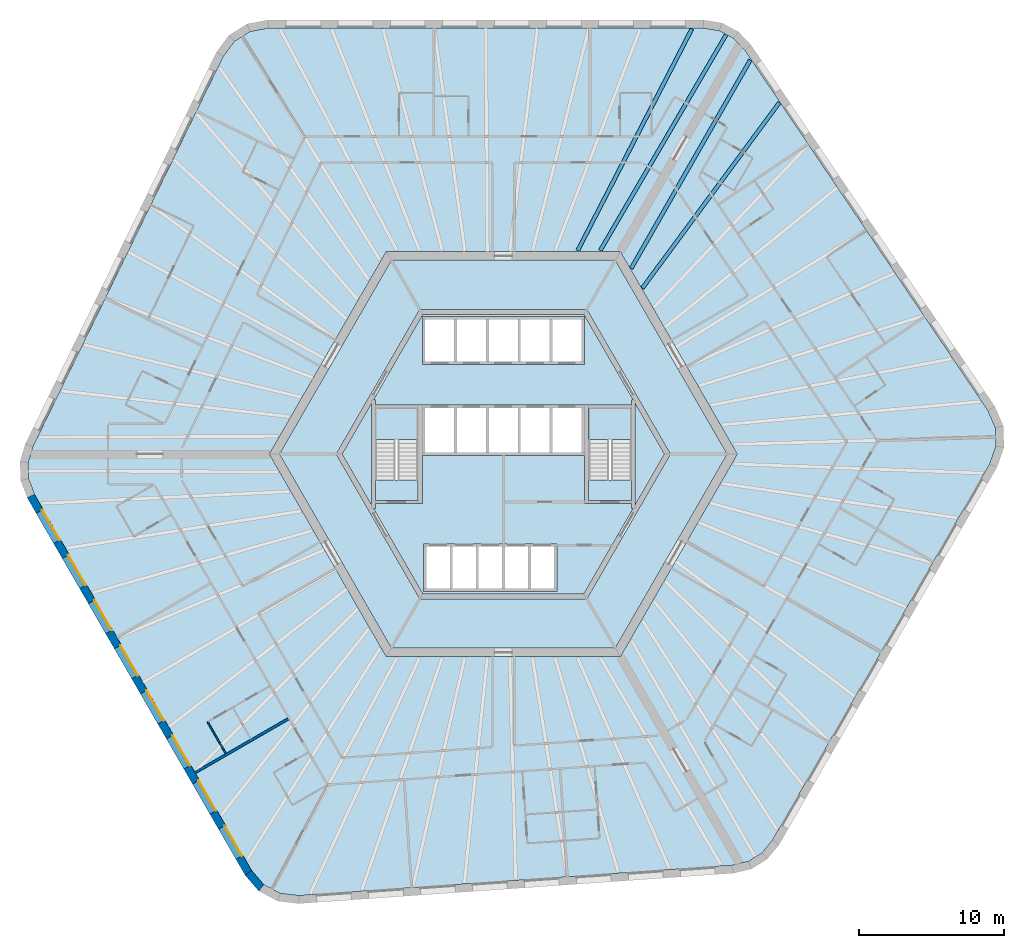
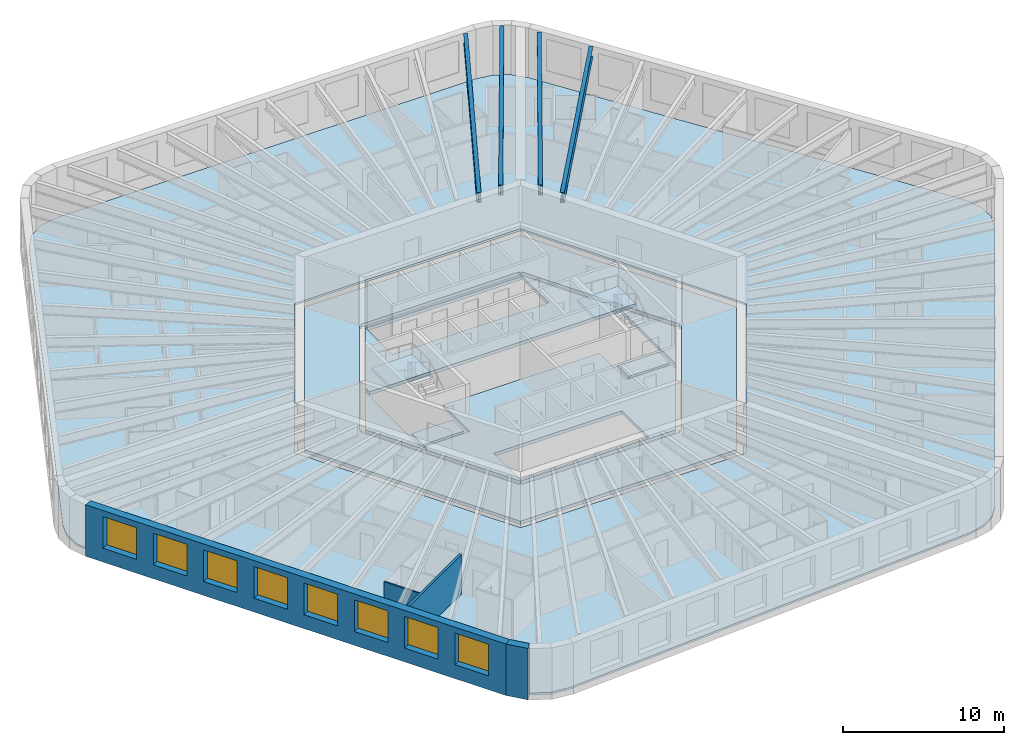
# One storey, part 2 of 11: 10 slabs, 8 windows, 4 beams, 4 walls, 8 openings, 2 elements without a shape of their own.
"""IFC4 building model written with IfcOpenShell, lengths in metres."""

from ifc_helpers import new_model, si_unit, direction, frame, frame_2d, origin, origin_2d, place, context, subcontext, project, spatial, polyline, rectangle, i_section, outline, extrude, material, layer, layer_set, material_profile, profile_set, type_object, element, fill, aggregate, save


model = new_model("IFC4")

# Units and contexts
model_context = context("Model", 3, precision=1e-05, world=origin(), true_north=direction((0.0, 1.0)))
body_context = subcontext(model_context, "Body", "Model", "MODEL_VIEW")
ifc_project = project(units=[si_unit("LENGTHUNIT", "METRE"), si_unit("AREAUNIT", "SQUARE_METRE"), si_unit("VOLUMEUNIT", "CUBIC_METRE"), si_unit("PLANEANGLEUNIT", "RADIAN"), si_unit("MASSUNIT", "GRAM", prefix="KILO")], contexts=[model_context])

# Site, building, storey
site_placement = place(None, origin())
site = spatial("IfcSite", under=ifc_project, at=site_placement, CompositionType="ELEMENT")
building_placement = place(site_placement, origin())
building = spatial("IfcBuilding", under=site, at=building_placement, Name="Tarnside Tower", CompositionType="ELEMENT")
storey_placement = place(building_placement, frame((0.0, 0.0, 45.300048828125)))
storey = spatial("IfcBuildingStorey", under=building, at=storey_placement, Name="L08", CompositionType="ELEMENT", Elevation=45.300048828125)

# Beams
ifc_material_1 = material(Name="Steel S355", Category="steel")
ifc_material_profile = material_profile(ifc_material_1, i_section(OverallWidth=0.2666015625, OverallDepth=0.76220703125, WebThickness=0.014404296875, FlangeThickness=0.021484375, FilletRadius=0.0166015625, at=origin_2d()), Name="UB 762x267x173")
ifc_profile_set = profile_set([ifc_material_profile], Name="Steel S355")
beam_type = type_object("IfcBeamType", Name="Floor beam UB 762x267x173", PredefinedType="BEAM", material=ifc_profile_set)
beam_1_placement = place(storey_placement, frame((13.0283203125, 29.37890625, 3.368896484375), z_axis=(-0.457973226459, -0.888965985765, 0.0), x_axis=(0.888965985765, -0.457973226459, 0.0)))
element("IfcBeam", 1, at=beam_1_placement, inside=storey, type_object=beam_type, Name="Floor beam F1.01", PredefinedType="BEAM", context=body_context, shape_type="SweptSolid", body=[
    extrude(i_section(OverallWidth=0.2666015625, OverallDepth=0.76220703125, WebThickness=0.014404296875, FlangeThickness=0.021484375, FilletRadius=0.0166015625, at=origin_2d()), origin(), (0.0, 0.0, 1.0), 17.219970703125),
])
beam_2_placement = place(storey_placement, frame((19.072021484375, 24.28857421875, 3.368896484375), z_axis=(-0.593986893499, -0.804474717037, 0.0), x_axis=(0.804474717037, -0.593986893499, 0.0)))
element("IfcBeam", 2, at=beam_2_placement, inside=storey, type_object=beam_type, Name="Floor beam F6.08", PredefinedType="BEAM", context=body_context, shape_type="SweptSolid", body=[
    extrude(i_section(OverallWidth=0.2666015625, OverallDepth=0.76220703125, WebThickness=0.014404296875, FlangeThickness=0.021484375, FilletRadius=0.0166015625, at=origin_2d()), origin(), (0.0, 0.0, 1.0), 15.934326171875),
])
beam_3_placement = place(storey_placement, frame((17.066162109375, 27.235107421875, 3.368896484375), z_axis=(-0.49622611841, -0.868193319145, 0.0), x_axis=(0.868193319145, -0.49622611841, 0.0)))
element("IfcBeam", 3, at=beam_3_placement, inside=storey, type_object=beam_type, Name="Floor beam F6.09", PredefinedType="BEAM", context=body_context, shape_type="SweptSolid", body=[
    extrude(i_section(OverallWidth=0.2666015625, OverallDepth=0.76220703125, WebThickness=0.014404296875, FlangeThickness=0.021484375, FilletRadius=0.0166015625, at=origin_2d()), origin(), (0.0, 0.0, 1.0), 16.586669921875),
])
beam_4_placement = place(storey_placement, frame((15.4013671875, 28.990478515625, 3.368896484375), z_axis=(-0.503858723096, -0.863786077198, 0.0), x_axis=(0.863786077198, -0.503858723096, 0.0)))
element("IfcBeam", 4, at=beam_4_placement, inside=storey, type_object=beam_type, Name="Floor beam C6", PredefinedType="BEAM", context=body_context, shape_type="SweptSolid", body=[
    extrude(i_section(OverallWidth=0.2666015625, OverallDepth=0.76220703125, WebThickness=0.014404296875, FlangeThickness=0.021484375, FilletRadius=0.0166015625, at=origin_2d()), origin(), (0.0, 0.0, 1.0), 17.2744140625),
])

# Slabs
ifc_material_2 = material(Name="Concrete C35/45", Category="concrete")
ifc_layer_1 = layer(ifc_material_2, 0.14990234375)
ifc_layer_set_1 = layer_set([ifc_layer_1], Name="Composite floor slab 150")
slab_type_1 = type_object("IfcSlabType", Name="Composite floor slab 150", PredefinedType="FLOOR", material=ifc_layer_set_1)
slab_1_placement = place(storey_placement, frame((0.0, 0.0, -0.150146484375)))
element("IfcSlab", 5, at=slab_1_placement, inside=storey, type_object=slab_type_1, Name="Floor slab L08", PredefinedType="FLOOR", context=body_context, shape_type="SweptSolid", body=[
    extrude(outline(polyline([(14.927490234375, 29.264892578125), (15.91455078125, 28.740234375), (16.697265625, 27.91064453125), (33.48583984375, 3.0205078125), (34.001220703125, 1.825439453125), (34.0458984375, 0.55078125), (33.614990234375, -0.67724609375), (18.603515625, -26.677978515625), (17.880615234375, -27.56005859375), (16.9326171875, -28.15234375), (15.82275390625, -28.41552734375), (-14.127197265625, -30.509765625), (-15.419921875, -30.358642578125), (-16.5458984375, -29.760009765625), (-17.39404296875, -28.772705078125), (-32.405517578125, -2.772216796875), (-32.80810546875, -1.704833984375), (-32.846923828125, -0.587890625), (-32.52001953125, 0.5048828125), (-19.358642578125, 27.4892578125), (-18.58154296875, 28.533203125), (-17.5, 29.208984375), (-16.220947265625, 29.449951171875), (13.802001953125, 29.449951171875), (14.927490234375, 29.264892578125)]), holes=[polyline([(-16.165771484375, 0.0), (-8.0830078125, -14.0), (8.0830078125, -14.0), (16.165771484375, 0.0), (8.0830078125, 14.0), (-8.0830078125, 14.0), (-16.165771484375, 0.0)])]), origin(), (0.0, 0.0, 1.0), 0.150146484375),
])
ifc_material_3 = material(Name="Concrete C40/50", Category="concrete")
ifc_layer_2 = layer(ifc_material_3, 0.25)
ifc_layer_set_2 = layer_set([ifc_layer_2], Name="Core slab C40/50")
slab_type_2 = type_object("IfcSlabType", Name="Core slab C40/50", PredefinedType="FLOOR", material=ifc_layer_set_2)
slab_2_placement = place(storey_placement, frame((0.0, 0.0, -0.25)))
element("IfcSlab", 6, at=slab_2_placement, inside=storey, type_object=slab_type_2, Name="L08 core floor slab 1", PredefinedType="FLOOR", context=body_context, shape_type="SweptSolid", body=[
    extrude(outline(polyline([(-15.472900390625, 0.0), (-7.736572265625, 13.39990234375), (7.736572265625, 13.39990234375), (15.472900390625, 0.0), (7.736572265625, -13.39990234375), (-7.736572265625, -13.39990234375), (-15.472900390625, 0.0)]), holes=[polyline([(5.823974609375, -9.91259765625), (11.49658203125, -0.08740234375), (11.344970703125, 0.0), (11.49658203125, 0.08740234375), (5.823974609375, 9.91259765625), (5.672607421875, 9.824951171875), (5.672607421875, 10.0), (-5.672607421875, 10.0), (-5.672607421875, 9.824951171875), (-5.823974609375, 9.91259765625), (-11.49658203125, 0.08740234375), (-11.344970703125, 0.0), (-11.49658203125, -0.08740234375), (-5.823974609375, -9.91259765625), (-5.672607421875, -9.824951171875), (-5.672607421875, -10.0), (5.672607421875, -10.0), (5.672607421875, -9.824951171875), (5.823974609375, -9.91259765625)])]), origin(), (0.0, 0.0, 1.0), 0.25),
])
slab_3_placement = place(storey_placement, frame((0.0, 0.0, -0.25)))
element("IfcSlab", 7, at=slab_3_placement, inside=storey, type_object=slab_type_2, Name="L08 core floor slab 2", PredefinedType="FLOOR", context=body_context, shape_type="SweptSolid", body=[
    extrude(outline(polyline([(-8.97509765625, 3.7548828125), (-5.5712890625, 9.64990234375), (5.5712890625, 9.64990234375), (8.97509765625, 3.7548828125), (8.85009765625, 3.7548828125), (8.85009765625, 3.39990234375), (5.89990234375, 3.39990234375), (5.60009765625, 3.39990234375), (5.60009765625, 3.39990234375), (-5.60009765625, 3.39990234375), (-5.89990234375, 3.39990234375), (-8.85009765625, 3.39990234375), (-8.85009765625, 3.7548828125), (-8.97509765625, 3.7548828125)]), holes=[polyline([(-5.60009765625, 6.199951171875), (5.60009765625, 6.199951171875), (5.60009765625, 6.39990234375), (5.60009765625, 9.300048828125), (5.60009765625, 9.5), (-5.60009765625, 9.5), (-5.60009765625, 9.300048828125), (-5.60009765625, 6.39990234375), (-5.60009765625, 6.199951171875)])]), origin(), (0.0, 0.0, 1.0), 0.25),
])
slab_4_placement = place(storey_placement, frame((0.0, 0.0, -0.25)))
element("IfcSlab", 8, at=slab_4_placement, inside=storey, type_object=slab_type_2, Name="L08 core floor slab 3", PredefinedType="FLOOR", context=body_context, shape_type="SweptSolid", body=[
    extrude(outline(polyline([(5.60009765625, -3.39990234375), (5.89990234375, -3.39990234375), (8.85009765625, -3.39990234375), (8.85009765625, -3.7548828125), (8.97509765625, -3.7548828125), (5.5712890625, -9.64990234375), (-5.5712890625, -9.64990234375), (-8.97509765625, -3.7548828125), (-8.85009765625, -3.7548828125), (-8.85009765625, -3.39990234375), (-5.89990234375, -3.39990234375), (-5.60009765625, -3.39990234375), (-5.60009765625, -0.10009765625), (5.60009765625, -0.10009765625), (5.60009765625, -3.39990234375)]), holes=[polyline([(-5.5, -9.300048828125), (-5.5, -9.5), (3.699951171875, -9.5), (3.699951171875, -9.300048828125), (3.699951171875, -6.39990234375), (3.699951171875, -6.199951171875), (-5.5, -6.199951171875), (-5.5, -6.39990234375), (-5.5, -9.300048828125)])]), origin(), (0.0, 0.0, 1.0), 0.25),
])
slab_5_placement = place(storey_placement, frame((0.0, 0.0, -0.25)))
element("IfcSlab", 9, at=slab_5_placement, inside=storey, type_object=slab_type_2, Name="L08 core floor slab 4", PredefinedType="FLOOR", context=body_context, shape_type="SweptSolid", body=[
    extrude(outline(polyline([(-11.142822265625, 0.0), (-9.10009765625, 3.538330078125), (-9.10009765625, -3.538330078125), (-11.142822265625, 0.0)])), origin(), (0.0, 0.0, 1.0), 0.25),
])
slab_6_placement = place(storey_placement, frame((0.0, 0.0, -0.25)))
element("IfcSlab", 10, at=slab_6_placement, inside=storey, type_object=slab_type_2, Name="L08 core floor slab 5", PredefinedType="FLOOR", context=body_context, shape_type="SweptSolid", body=[
    extrude(outline(polyline([(-8.85009765625, -1.800048828125), (-5.89990234375, -1.800048828125), (-5.89990234375, -3.199951171875), (-8.85009765625, -3.199951171875), (-8.85009765625, -1.800048828125)])), origin(), (0.0, 0.0, 1.0), 0.25),
])
slab_7_placement = place(storey_placement, frame((0.0, 0.0, -0.25)))
element("IfcSlab", 11, at=slab_7_placement, inside=storey, type_object=slab_type_2, Name="L08 core floor slab 6", PredefinedType="FLOOR", context=body_context, shape_type="SweptSolid", body=[
    extrude(outline(polyline([(5.89990234375, -3.199951171875), (5.89990234375, -1.800048828125), (8.85009765625, -1.800048828125), (8.85009765625, -3.199951171875), (5.89990234375, -3.199951171875)])), origin(), (0.0, 0.0, 1.0), 0.25),
])
slab_8_placement = place(storey_placement, frame((0.0, 0.0, -0.25)))
element("IfcSlab", 12, at=slab_8_placement, inside=storey, type_object=slab_type_2, Name="L08 core floor slab 7", PredefinedType="FLOOR", context=body_context, shape_type="SweptSolid", body=[
    extrude(outline(polyline([(9.10009765625, -3.538330078125), (9.10009765625, 3.538330078125), (11.142822265625, 0.0), (9.10009765625, -3.538330078125)])), origin(), (0.0, 0.0, 1.0), 0.25),
])

# Stair, slab
stair_type = type_object("IfcStairType", Name="Exit stair 1400 clear", PredefinedType="HALF_TURN_STAIR", material=ifc_material_3)
stair_1_placement = place(storey_placement, origin())
stair_1 = element("IfcStair", 13, at=stair_1_placement, inside=storey, type_object=stair_type, Name="L08 Exit stair 1", PredefinedType="HALF_TURN_STAIR")
ifc_layer_3 = layer(ifc_material_3, 0.199951171875)
ifc_layer_set_3 = layer_set([ifc_layer_3], Name="Stair landing 200 C40/50")
slab_type_3 = type_object("IfcSlabType", Name="Stair landing 200 C40/50", PredefinedType="LANDING", material=ifc_layer_set_3)
slab_9_placement = place(storey_placement, frame((0.0, 0.0, 1.75)))
slab_9 = element("IfcSlab", 14, at=slab_9_placement, type_object=slab_type_3, Name="ST1 landing 1", PredefinedType="LANDING", context=body_context, shape_type="SweptSolid", body=[
    extrude(outline(polyline([(8.85009765625, 1.0), (8.85009765625, 3.199951171875), (5.89990234375, 3.199951171875), (5.89990234375, 1.0), (8.85009765625, 1.0)])), origin(), (0.0, 0.0, 1.0), 0.199951171875),
])
aggregate(stair_1, [slab_9])

stair_2_placement = place(storey_placement, origin())
stair_2 = element("IfcStair", 15, at=stair_2_placement, inside=storey, type_object=stair_type, Name="L08 Exit stair 2", PredefinedType="HALF_TURN_STAIR")
slab_10_placement = place(storey_placement, frame((0.0, 0.0, 1.75)))
slab_10 = element("IfcSlab", 16, at=slab_10_placement, type_object=slab_type_3, Name="ST2 landing 1", PredefinedType="LANDING", context=body_context, shape_type="SweptSolid", body=[
    extrude(outline(polyline([(-5.89990234375, 1.0), (-5.89990234375, 3.199951171875), (-8.85009765625, 3.199951171875), (-8.85009765625, 1.0), (-5.89990234375, 1.0)])), origin(), (0.0, 0.0, 1.0), 0.199951171875),
])
aggregate(stair_2, [slab_10])

# Walls
ifc_material_4 = material(Name="Gypsum board partition on steel studs", Category="steel")
ifc_layer_4 = layer(ifc_material_4, 0.179931640625)
ifc_layer_set_4 = layer_set([ifc_layer_4], Name="Demising wall 180 EI 60")
wall_type_1 = type_object("IfcWallType", Name="Demising wall 180 EI 60", PredefinedType="PARTITIONING", material=ifc_layer_set_4)
wall_1_placement = place(storey_placement, frame((-21.298828125, -22.00927734375, 0.0), z_axis=(0.0, 0.0, 1.0), x_axis=(0.866014745021, 0.500018461065, 0.0)))
element("IfcWall", 17, at=wall_1_placement, inside=storey, type_object=wall_type_1, Name="Demising wall 01107", PredefinedType="PARTITIONING", context=body_context, shape_type="SweptSolid", body=[
    extrude(rectangle(XDim=7.425048828125, YDim=0.179931640625, at=frame_2d((3.71240234375, 0.0))), origin(), (0.0, 0.0, 1.0), 2.98779296875),
])
ifc_layer_5 = layer(ifc_material_4, 0.10009765625)
ifc_layer_set_5 = layer_set([ifc_layer_5], Name="Partition 100")
wall_type_2 = type_object("IfcWallType", Name="Partition 100", PredefinedType="PARTITIONING", material=ifc_layer_set_5)
wall_2_placement = place(storey_placement, frame((-19.178955078125, -20.68115234375, 0.0), z_axis=(0.0, 0.0, 1.0), x_axis=(-0.499989096993, 0.866031698547, 0.0)))
element("IfcWall", 18, at=wall_2_placement, inside=storey, type_object=wall_type_2, Name="Partition wall 01105", PredefinedType="PARTITIONING", context=body_context, shape_type="SweptSolid", body=[
    extrude(rectangle(XDim=2.509765625, YDim=0.10009765625, at=frame_2d((1.2548828125, 0.0))), origin(), (0.0, 0.0, 1.0), 2.98779296875),
])

# Wall, openings, windows
ifc_material_5 = material(Name="Facing brick", Category="masonry")
ifc_layer_6 = layer(ifc_material_5, 0.10205078125)
ifc_material_6 = material(Name="Concrete C60/75 precast", Category="concrete")
ifc_layer_7 = layer(ifc_material_6, 0.347900390625)
ifc_material_7 = material(Name="Mineral wool insulation")
ifc_layer_8 = layer(ifc_material_7, 0.10009765625)
ifc_layer_set_6 = layer_set([ifc_layer_6, ifc_layer_7, ifc_layer_8], Name="Tube wall 550 brick faced")
wall_type_3 = type_object("IfcWallType", Name="Tube wall 550 brick faced", PredefinedType="SOLIDWALL", material=ifc_layer_set_6)
wall_3_placement = place(storey_placement, frame((-32.65478515625, -2.89013671875, -0.150146484375), z_axis=(0.0, 0.0, 1.0), x_axis=(0.499997711317, -0.866026725152, 0.0)))
wall_3 = element("IfcWall", 19, at=wall_3_placement, inside=storey, type_object=wall_type_3, Name="Tube wall L08 F3 flush 08", PredefinedType="SOLIDWALL", context=body_context, shape_type="SweptSolid", body=[
    extrude(outline(polyline([(-0.0224609375, -0.27490234375), (30.0966796875, -0.27490234375), (30.04541015625, 0.27490234375), (0.0224609375, 0.27490234375), (-0.0224609375, -0.27490234375)])), origin(), (0.0, 0.0, 1.0), 3.900146484375),
])
opening_1_placement = place(wall_3_placement, frame((1.235595703125, 0.0, 1.050048828125)))
opening_1 = element("IfcOpeningElement", 20, at=opening_1_placement, cuts=wall_3, Name="Opening WH", PredefinedType="OPENING", context=body_context, shape_type="SweptSolid", body=[
    extrude(rectangle(XDim=2.39990234375, YDim=2.39990234375, at=frame_2d((1.199951171875, 1.199951171875))), frame((0.0, 0.28515625, 0.0), z_axis=(0.0, -1.0, 0.0), x_axis=(1.0, 0.0, 0.0)), (0.0, 0.0, 1.0), 0.570068359375),
])
opening_2_placement = place(wall_3_placement, frame((4.83544921875, 0.0, 1.050048828125)))
opening_2 = element("IfcOpeningElement", 21, at=opening_2_placement, cuts=wall_3, Name="Opening WH", PredefinedType="OPENING", context=body_context, shape_type="SweptSolid", body=[
    extrude(rectangle(XDim=2.39990234375, YDim=2.39990234375, at=frame_2d((1.199951171875, 1.199951171875))), frame((0.0, 0.28515625, 0.0), z_axis=(0.0, -1.0, 0.0), x_axis=(1.0, 0.0, 0.0)), (0.0, 0.0, 1.0), 0.570068359375),
])
opening_3_placement = place(wall_3_placement, frame((8.435546875, 0.0, 1.050048828125)))
opening_3 = element("IfcOpeningElement", 22, at=opening_3_placement, cuts=wall_3, Name="Opening WH", PredefinedType="OPENING", context=body_context, shape_type="SweptSolid", body=[
    extrude(rectangle(XDim=2.39990234375, YDim=2.39990234375, at=frame_2d((1.199951171875, 1.199951171875))), frame((0.0, 0.28515625, 0.0), z_axis=(0.0, -1.0, 0.0), x_axis=(1.0, 0.0, 0.0)), (0.0, 0.0, 1.0), 0.570068359375),
])
opening_4_placement = place(wall_3_placement, frame((12.035400390625, 0.0, 1.050048828125)))
opening_4 = element("IfcOpeningElement", 23, at=opening_4_placement, cuts=wall_3, Name="Opening WH", PredefinedType="OPENING", context=body_context, shape_type="SweptSolid", body=[
    extrude(rectangle(XDim=2.39990234375, YDim=2.39990234375, at=frame_2d((1.199951171875, 1.199951171875))), frame((0.0, 0.28515625, 0.0), z_axis=(0.0, -1.0, 0.0), x_axis=(1.0, 0.0, 0.0)), (0.0, 0.0, 1.0), 0.570068359375),
])
opening_5_placement = place(wall_3_placement, frame((15.635498046875, 0.0, 1.050048828125)))
opening_5 = element("IfcOpeningElement", 24, at=opening_5_placement, cuts=wall_3, Name="Opening WH", PredefinedType="OPENING", context=body_context, shape_type="SweptSolid", body=[
    extrude(rectangle(XDim=2.39990234375, YDim=2.39990234375, at=frame_2d((1.199951171875, 1.199951171875))), frame((0.0, 0.28515625, 0.0), z_axis=(0.0, -1.0, 0.0), x_axis=(1.0, 0.0, 0.0)), (0.0, 0.0, 1.0), 0.570068359375),
])
opening_6_placement = place(wall_3_placement, frame((19.235595703125, 0.0, 1.050048828125)))
opening_6 = element("IfcOpeningElement", 25, at=opening_6_placement, cuts=wall_3, Name="Opening WH", PredefinedType="OPENING", context=body_context, shape_type="SweptSolid", body=[
    extrude(rectangle(XDim=2.39990234375, YDim=2.39990234375, at=frame_2d((1.199951171875, 1.199951171875))), frame((0.0, 0.28515625, 0.0), z_axis=(0.0, -1.0, 0.0), x_axis=(1.0, 0.0, 0.0)), (0.0, 0.0, 1.0), 0.570068359375),
])
opening_7_placement = place(wall_3_placement, frame((22.83544921875, 0.0, 1.050048828125)))
opening_7 = element("IfcOpeningElement", 26, at=opening_7_placement, cuts=wall_3, Name="Opening WH", PredefinedType="OPENING", context=body_context, shape_type="SweptSolid", body=[
    extrude(rectangle(XDim=2.39990234375, YDim=2.39990234375, at=frame_2d((1.199951171875, 1.199951171875))), frame((0.0, 0.28515625, 0.0), z_axis=(0.0, -1.0, 0.0), x_axis=(1.0, 0.0, 0.0)), (0.0, 0.0, 1.0), 0.570068359375),
])
opening_8_placement = place(wall_3_placement, frame((26.435546875, 0.0, 1.050048828125)))
opening_8 = element("IfcOpeningElement", 27, at=opening_8_placement, cuts=wall_3, Name="Opening WH", PredefinedType="OPENING", context=body_context, shape_type="SweptSolid", body=[
    extrude(rectangle(XDim=2.39990234375, YDim=2.39990234375, at=frame_2d((1.199951171875, 1.199951171875))), frame((0.0, 0.28515625, 0.0), z_axis=(0.0, -1.0, 0.0), x_axis=(1.0, 0.0, 0.0)), (0.0, 0.0, 1.0), 0.570068359375),
])
ifc_material_8 = material(Name="Aluminium-framed double glazing", Category="aluminium")
window_type = type_object("IfcWindowType", Name="Hotel window 2400 x 2400", PartitioningType="DOUBLE_PANEL_VERTICAL", PredefinedType="WINDOW", material=ifc_material_8)
window_1_placement = place(opening_1_placement, frame((0.0, 0.205078125, 0.0)))
window_1 = element("IfcWindow", 28, at=window_1_placement, inside=storey, type_object=window_type, Name="E.WN.L08.F3.00", OverallHeight=2.39990234375, OverallWidth=2.39990234375, PartitioningType="DOUBLE_PANEL_VERTICAL", PredefinedType="WINDOW", context=body_context, shape_type="SweptSolid", body=[
    extrude(rectangle(XDim=2.39990234375, YDim=2.39990234375, at=frame_2d((1.199951171875, 1.199951171875))), frame((0.0, 0.030029296875, 0.0), z_axis=(0.0, -1.0, 0.0), x_axis=(1.0, 0.0, 0.0)), (0.0, 0.0, 1.0), 0.06005859375),
])
fill(opening_1, window_1)
window_2_placement = place(opening_2_placement, frame((0.0, 0.205078125, 0.0)))
window_2 = element("IfcWindow", 29, at=window_2_placement, inside=storey, type_object=window_type, Name="E.WN.L08.F3.01", OverallHeight=2.39990234375, OverallWidth=2.39990234375, PartitioningType="DOUBLE_PANEL_VERTICAL", PredefinedType="WINDOW", context=body_context, shape_type="SweptSolid", body=[
    extrude(rectangle(XDim=2.39990234375, YDim=2.39990234375, at=frame_2d((1.199951171875, 1.199951171875))), frame((0.0, 0.030029296875, 0.0), z_axis=(0.0, -1.0, 0.0), x_axis=(1.0, 0.0, 0.0)), (0.0, 0.0, 1.0), 0.06005859375),
])
fill(opening_2, window_2)
window_3_placement = place(opening_3_placement, frame((0.0, 0.205078125, 0.0)))
window_3 = element("IfcWindow", 30, at=window_3_placement, inside=storey, type_object=window_type, Name="E.WN.L08.F3.02", OverallHeight=2.39990234375, OverallWidth=2.39990234375, PartitioningType="DOUBLE_PANEL_VERTICAL", PredefinedType="WINDOW", context=body_context, shape_type="SweptSolid", body=[
    extrude(rectangle(XDim=2.39990234375, YDim=2.39990234375, at=frame_2d((1.199951171875, 1.199951171875))), frame((0.0, 0.030029296875, 0.0), z_axis=(0.0, -1.0, 0.0), x_axis=(1.0, 0.0, 0.0)), (0.0, 0.0, 1.0), 0.06005859375),
])
fill(opening_3, window_3)
window_4_placement = place(opening_4_placement, frame((0.0, 0.205078125, 0.0)))
window_4 = element("IfcWindow", 31, at=window_4_placement, inside=storey, type_object=window_type, Name="E.WN.L08.F3.03", OverallHeight=2.39990234375, OverallWidth=2.39990234375, PartitioningType="DOUBLE_PANEL_VERTICAL", PredefinedType="WINDOW", context=body_context, shape_type="SweptSolid", body=[
    extrude(rectangle(XDim=2.39990234375, YDim=2.39990234375, at=frame_2d((1.199951171875, 1.199951171875))), frame((0.0, 0.030029296875, 0.0), z_axis=(0.0, -1.0, 0.0), x_axis=(1.0, 0.0, 0.0)), (0.0, 0.0, 1.0), 0.06005859375),
])
fill(opening_4, window_4)
window_5_placement = place(opening_5_placement, frame((0.0, 0.205078125, 0.0)))
window_5 = element("IfcWindow", 32, at=window_5_placement, inside=storey, type_object=window_type, Name="E.WN.L08.F3.04", OverallHeight=2.39990234375, OverallWidth=2.39990234375, PartitioningType="DOUBLE_PANEL_VERTICAL", PredefinedType="WINDOW", context=body_context, shape_type="SweptSolid", body=[
    extrude(rectangle(XDim=2.39990234375, YDim=2.39990234375, at=frame_2d((1.199951171875, 1.199951171875))), frame((0.0, 0.030029296875, 0.0), z_axis=(0.0, -1.0, 0.0), x_axis=(1.0, 0.0, 0.0)), (0.0, 0.0, 1.0), 0.06005859375),
])
fill(opening_5, window_5)
window_6_placement = place(opening_6_placement, frame((0.0, 0.205078125, 0.0)))
window_6 = element("IfcWindow", 33, at=window_6_placement, inside=storey, type_object=window_type, Name="E.WN.L08.F3.05", OverallHeight=2.39990234375, OverallWidth=2.39990234375, PartitioningType="DOUBLE_PANEL_VERTICAL", PredefinedType="WINDOW", context=body_context, shape_type="SweptSolid", body=[
    extrude(rectangle(XDim=2.39990234375, YDim=2.39990234375, at=frame_2d((1.199951171875, 1.199951171875))), frame((0.0, 0.030029296875, 0.0), z_axis=(0.0, -1.0, 0.0), x_axis=(1.0, 0.0, 0.0)), (0.0, 0.0, 1.0), 0.06005859375),
])
fill(opening_6, window_6)
window_7_placement = place(opening_7_placement, frame((0.0, 0.205078125, 0.0)))
window_7 = element("IfcWindow", 34, at=window_7_placement, inside=storey, type_object=window_type, Name="E.WN.L08.F3.06", OverallHeight=2.39990234375, OverallWidth=2.39990234375, PartitioningType="DOUBLE_PANEL_VERTICAL", PredefinedType="WINDOW", context=body_context, shape_type="SweptSolid", body=[
    extrude(rectangle(XDim=2.39990234375, YDim=2.39990234375, at=frame_2d((1.199951171875, 1.199951171875))), frame((0.0, 0.030029296875, 0.0), z_axis=(0.0, -1.0, 0.0), x_axis=(1.0, 0.0, 0.0)), (0.0, 0.0, 1.0), 0.06005859375),
])
fill(opening_7, window_7)
window_8_placement = place(opening_8_placement, frame((0.0, 0.205078125, 0.0)))
window_8 = element("IfcWindow", 35, at=window_8_placement, inside=storey, type_object=window_type, Name="E.WN.L08.F3.07", OverallHeight=2.39990234375, OverallWidth=2.39990234375, PartitioningType="DOUBLE_PANEL_VERTICAL", PredefinedType="WINDOW", context=body_context, shape_type="SweptSolid", body=[
    extrude(rectangle(XDim=2.39990234375, YDim=2.39990234375, at=frame_2d((1.199951171875, 1.199951171875))), frame((0.0, 0.030029296875, 0.0), z_axis=(0.0, -1.0, 0.0), x_axis=(1.0, 0.0, 0.0)), (0.0, 0.0, 1.0), 0.06005859375),
])
fill(opening_8, window_8)

# Wall
wall_4_placement = place(storey_placement, frame((-17.619384765625, -28.932373046875, -0.150146484375), z_axis=(0.0, 0.0, 1.0), x_axis=(0.651621950847, -0.758543890078, 0.0)))
element("IfcWall", 36, at=wall_4_placement, inside=storey, type_object=wall_type_3, Name="Tube wall L08 F3 chord 09", PredefinedType="SOLIDWALL", context=body_context, shape_type="SweptSolid", body=[
    extrude(outline(polyline([(-0.025634765625, -0.27490234375), (1.430908203125, -0.27490234375), (1.327392578125, 0.27490234375), (0.025634765625, 0.27490234375), (-0.025634765625, -0.27490234375)])), origin(), (0.0, 0.0, 1.0), 3.900146484375),
])

save(model, "model.ifc")
